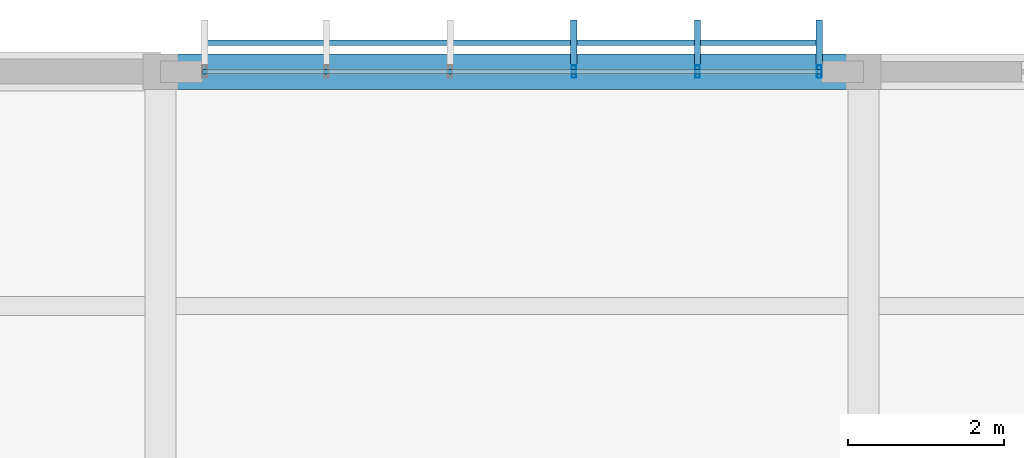
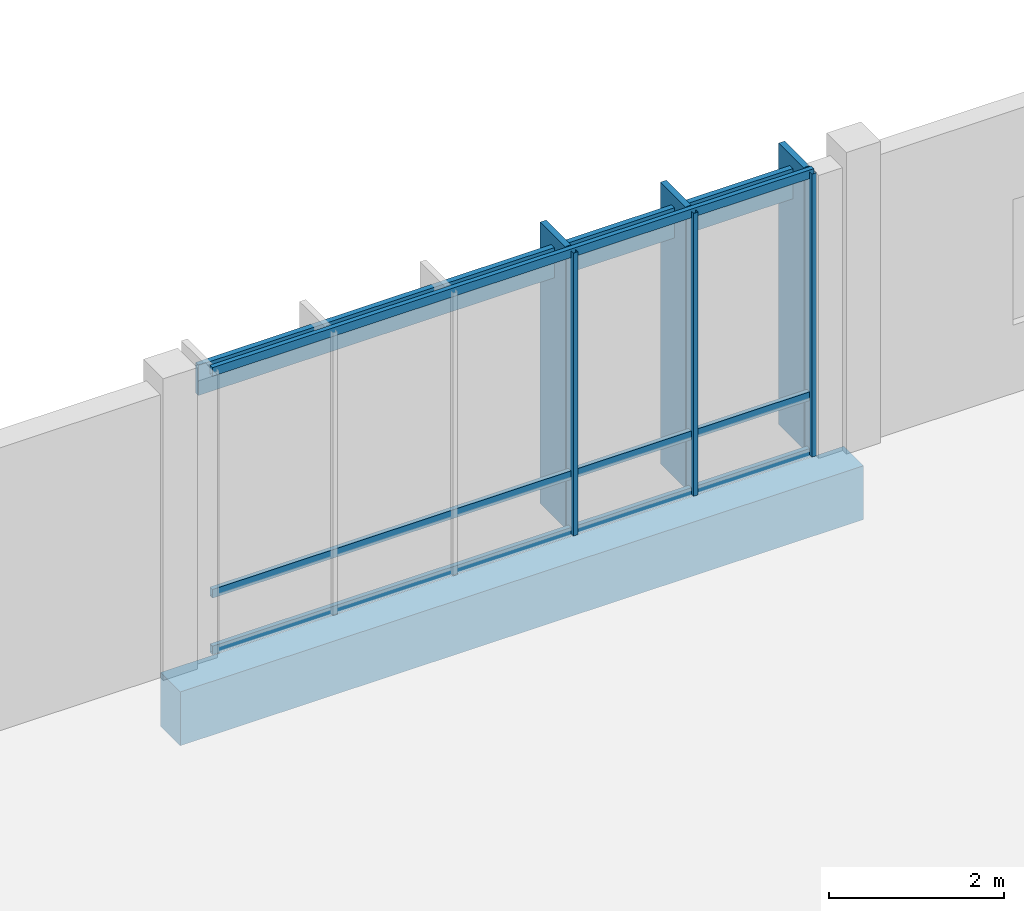
# One storey, part 65 of 94: 10 members, 1 beam, 1 element without a shape of its own.
"""IFC4 building model written with IfcOpenShell, lengths in metres."""

from ifc_helpers import new_model, si_unit, direction, frame, origin, origin_2d, place, context, subcontext, project, spatial, rectangle, hollow_rectangle, extrude, material, material_profile, profile_set, type_object, element, aggregate, save


model = new_model("IFC4")

# Units and contexts
model_context = context("Model", 3, precision=1e-05, world=origin(), true_north=direction((0.0, 1.0)))
body_context = subcontext(model_context, "Body", "Model", "MODEL_VIEW")
ifc_project = project(units=[si_unit("LENGTHUNIT", "METRE"), si_unit("AREAUNIT", "SQUARE_METRE"), si_unit("VOLUMEUNIT", "CUBIC_METRE"), si_unit("PLANEANGLEUNIT", "RADIAN"), si_unit("MASSUNIT", "GRAM", prefix="KILO")], contexts=[model_context])

# Site, building, storey
site_placement = place(None, origin())
site = spatial("IfcSite", under=ifc_project, at=site_placement, CompositionType="ELEMENT")
building_placement = place(site_placement, origin())
building = spatial("IfcBuilding", under=site, at=building_placement, Name="Chiffa Square Polytechnic", CompositionType="ELEMENT")
storey_placement = place(building_placement, frame((0.0, 0.0, 18.0)))
storey = spatial("IfcBuildingStorey", under=building, at=storey_placement, Name="L04", CompositionType="ELEMENT", Elevation=18.0)

# Beam
ifc_material_1 = material(Name="Concrete C35/45", Category="concrete")
ifc_material_profile_1 = material_profile(ifc_material_1, rectangle(XDim=0.449951171875, YDim=0.75, at=origin_2d()), Name="RC 450x750")
ifc_profile_set_1 = profile_set([ifc_material_profile_1], Name="Concrete C35/45")
beam_type = type_object("IfcBeamType", Name="BM-RC-450X750", PredefinedType="BEAM", material=ifc_profile_set_1)
beam_placement = place(storey_placement, frame((57.60009765625, 130.800048828125, -0.614990234375), z_axis=(1.0, 0.0, 0.0), x_axis=(0.0, 1.0, 0.0)))
element("IfcBeam", 1, at=beam_placement, inside=storey, type_object=beam_type, Name="Primary floor girder BM-V5-L04-X-0576-1308", PredefinedType="BEAM", context=body_context, shape_type="SweptSolid", body=[
    extrude(rectangle(XDim=0.449951171875, YDim=0.75, at=origin_2d()), origin(), (0.0, 0.0, 1.0), 9.0),
])

# Curtain wall, members
ifc_material_2 = material(Name="Aluminium EN AW-6060 T66 and glulam shading", Category="wood")
curtain_wall_type = type_object("IfcCurtainWallType", Name="CW-VERT-360X380", PredefinedType="USERDEFINED", material=ifc_material_2)
curtain_wall_placement = place(storey_placement, origin())
curtain_wall = element("IfcCurtainWall", 2, at=curtain_wall_placement, inside=storey, type_object=curtain_wall_type, Name="Curtain wall CW-V5-L04-245", ObjectType="CURTAIN WALL", PredefinedType="USERDEFINED")
ifc_material_3 = material(Name="Aluminium EN AW-6060 T66", Category="aluminium")
ifc_material_profile_2 = material_profile(ifc_material_3, hollow_rectangle(XDim=0.06005859375, YDim=0.159912109375, WallThickness=0.00390625, at=origin_2d()), Name="ALU 60x160x4")
ifc_profile_set_2 = profile_set([ifc_material_profile_2], Name="Aluminium EN AW-6060 T66")
member_type_1 = type_object("IfcMemberType", Name="CWM-ALU-65X150", PredefinedType="MULLION", material=ifc_profile_set_2)
member_1_placement = place(storey_placement, frame((66.034912109375, 130.800048828125, 0.0), z_axis=(0.0, 0.0, 1.0), x_axis=(1.0, 0.0, 0.0)))
member_1 = element("IfcMember", 3, at=member_1_placement, type_object=member_type_1, Name="Curtain wall mullion CW-V5-L04-245-M00", PredefinedType="MULLION", context=body_context, shape_type="SweptSolid", body=[
    extrude(hollow_rectangle(XDim=0.06005859375, YDim=0.159912109375, WallThickness=0.00390625, at=origin_2d()), origin(), (0.0, 0.0, 1.0), 3.93994140625),
])
member_2_placement = place(storey_placement, frame((64.47607421875, 130.800048828125, 0.0), z_axis=(0.0, 0.0, 1.0), x_axis=(1.0, 0.0, 0.0)))
member_2 = element("IfcMember", 4, at=member_2_placement, type_object=member_type_1, Name="Curtain wall mullion CW-V5-L04-245-M01", PredefinedType="MULLION", context=body_context, shape_type="SweptSolid", body=[
    extrude(hollow_rectangle(XDim=0.06005859375, YDim=0.159912109375, WallThickness=0.00390625, at=origin_2d()), origin(), (0.0, 0.0, 1.0), 3.93994140625),
])
member_3_placement = place(storey_placement, frame((62.89208984375, 130.800048828125, 0.0), z_axis=(0.0, 0.0, 1.0), x_axis=(1.0, 0.0, 0.0)))
member_3 = element("IfcMember", 5, at=member_3_placement, type_object=member_type_1, Name="Curtain wall mullion CW-V5-L04-245-M02", PredefinedType="MULLION", context=body_context, shape_type="SweptSolid", body=[
    extrude(hollow_rectangle(XDim=0.06005859375, YDim=0.159912109375, WallThickness=0.00390625, at=origin_2d()), origin(), (0.0, 0.0, 1.0), 3.93994140625),
])
ifc_material_4 = material(Name="Glulam GL28h", Category="wood")
ifc_material_profile_3 = material_profile(ifc_material_4, rectangle(XDim=0.080078125, YDim=0.580078125, at=origin_2d()), Name="GL28h 80x580")
ifc_profile_set_3 = profile_set([ifc_material_profile_3], Name="Glulam GL28h")
member_type_2 = type_object("IfcMemberType", Name="CWM-GL-80X580", PredefinedType="MULLION", material=ifc_profile_set_3)
member_4_placement = place(storey_placement, frame((66.034912109375, 131.172119140625, 0.010009765625), z_axis=(0.0, 0.0, 1.0), x_axis=(-1.0, 0.0, 0.0)))
member_4 = element("IfcMember", 6, at=member_4_placement, type_object=member_type_2, Name="Exterior glulam solar fin CW-V5-L04-245-FN00", PredefinedType="MULLION", context=body_context, shape_type="SweptSolid", body=[
    extrude(rectangle(XDim=0.080078125, YDim=0.580078125, at=origin_2d()), origin(), (0.0, 0.0, 1.0), 3.919921875),
])
member_5_placement = place(storey_placement, frame((64.47607421875, 131.172119140625, 0.010009765625), z_axis=(0.0, 0.0, 1.0), x_axis=(-1.0, 0.0, 0.0)))
member_5 = element("IfcMember", 7, at=member_5_placement, type_object=member_type_2, Name="Exterior glulam solar fin CW-V5-L04-245-FN01", PredefinedType="MULLION", context=body_context, shape_type="SweptSolid", body=[
    extrude(rectangle(XDim=0.080078125, YDim=0.580078125, at=origin_2d()), origin(), (0.0, 0.0, 1.0), 3.919921875),
])
member_6_placement = place(storey_placement, frame((62.89208984375, 131.172119140625, 0.010009765625), z_axis=(0.0, 0.0, 1.0), x_axis=(-1.0, 0.0, 0.0)))
member_6 = element("IfcMember", 8, at=member_6_placement, type_object=member_type_2, Name="Exterior glulam solar fin CW-V5-L04-245-FN02", PredefinedType="MULLION", context=body_context, shape_type="SweptSolid", body=[
    extrude(rectangle(XDim=0.080078125, YDim=0.580078125, at=origin_2d()), origin(), (0.0, 0.0, 1.0), 3.919921875),
])
ifc_material_profile_4 = material_profile(ifc_material_3, hollow_rectangle(XDim=0.06005859375, YDim=0.1201171875, WallThickness=0.00390625, at=origin_2d()), Name="ALU 60x120x4")
ifc_profile_set_4 = profile_set([ifc_material_profile_4], Name="Aluminium EN AW-6060 T66")
member_type_3 = type_object("IfcMemberType", Name="CWT-ALU-65X120", PredefinedType="USERDEFINED", material=ifc_profile_set_4)
member_7_placement = place(storey_placement, frame((66.06201171875, 130.800048828125, 0.030029296875), z_axis=(-1.0, 0.0, 0.0), x_axis=(0.0, -1.0, 0.0)))
member_7 = element("IfcMember", 9, at=member_7_placement, type_object=member_type_3, Name="Curtain wall transom CW-V5-L04-245-T01", ObjectType="TRANSOM", PredefinedType="USERDEFINED", context=body_context, shape_type="SweptSolid", body=[
    extrude(hollow_rectangle(XDim=0.06005859375, YDim=0.1201171875, WallThickness=0.00390625, at=origin_2d()), origin(), (0.0, 0.0, 1.0), 7.924072265625),
])
member_8_placement = place(storey_placement, frame((66.06201171875, 130.800048828125, 0.820068359375), z_axis=(-1.0, 0.0, 0.0), x_axis=(0.0, -1.0, 0.0)))
member_8 = element("IfcMember", 10, at=member_8_placement, type_object=member_type_3, Name="Curtain wall transom CW-V5-L04-245-T02", ObjectType="TRANSOM", PredefinedType="USERDEFINED", context=body_context, shape_type="SweptSolid", body=[
    extrude(hollow_rectangle(XDim=0.06005859375, YDim=0.1201171875, WallThickness=0.00390625, at=origin_2d()), origin(), (0.0, 0.0, 1.0), 7.924072265625),
])
member_9_placement = place(storey_placement, frame((66.06201171875, 130.800048828125, 3.909912109375), z_axis=(-1.0, 0.0, 0.0), x_axis=(0.0, -1.0, 0.0)))
member_9 = element("IfcMember", 11, at=member_9_placement, type_object=member_type_3, Name="Curtain wall transom CW-V5-L04-245-T03", ObjectType="TRANSOM", PredefinedType="USERDEFINED", context=body_context, shape_type="SweptSolid", body=[
    extrude(hollow_rectangle(XDim=0.06005859375, YDim=0.1201171875, WallThickness=0.00390625, at=origin_2d()), origin(), (0.0, 0.0, 1.0), 7.924072265625),
])
ifc_material_profile_5 = material_profile(ifc_material_4, rectangle(XDim=0.070068359375, YDim=0.419921875, at=origin_2d()), Name="GL28h 70x420")
ifc_profile_set_5 = profile_set([ifc_material_profile_5], Name="Glulam GL28h")
member_type_4 = type_object("IfcMemberType", Name="CWT-GL-70X420", PredefinedType="USERDEFINED", material=ifc_profile_set_5)
member_10_placement = place(storey_placement, frame((66.034912109375, 131.172119140625, 3.56005859375), z_axis=(-1.0, 0.0, 0.0), x_axis=(0.0, -1.0, 0.0)))
member_10 = element("IfcMember", 12, at=member_10_placement, type_object=member_type_4, Name="Exterior glulam brise-soleil CW-V5-L04-245-BS01", ObjectType="TRANSOM", PredefinedType="USERDEFINED", context=body_context, shape_type="SweptSolid", body=[
    extrude(rectangle(XDim=0.070068359375, YDim=0.419921875, at=origin_2d()), origin(), (0.0, 0.0, 1.0), 7.869873046875),
])
aggregate(curtain_wall, [member_1, member_4, member_2, member_5, member_3, member_6, member_7, member_8, member_9, member_10])

save(model, "model.ifc")
